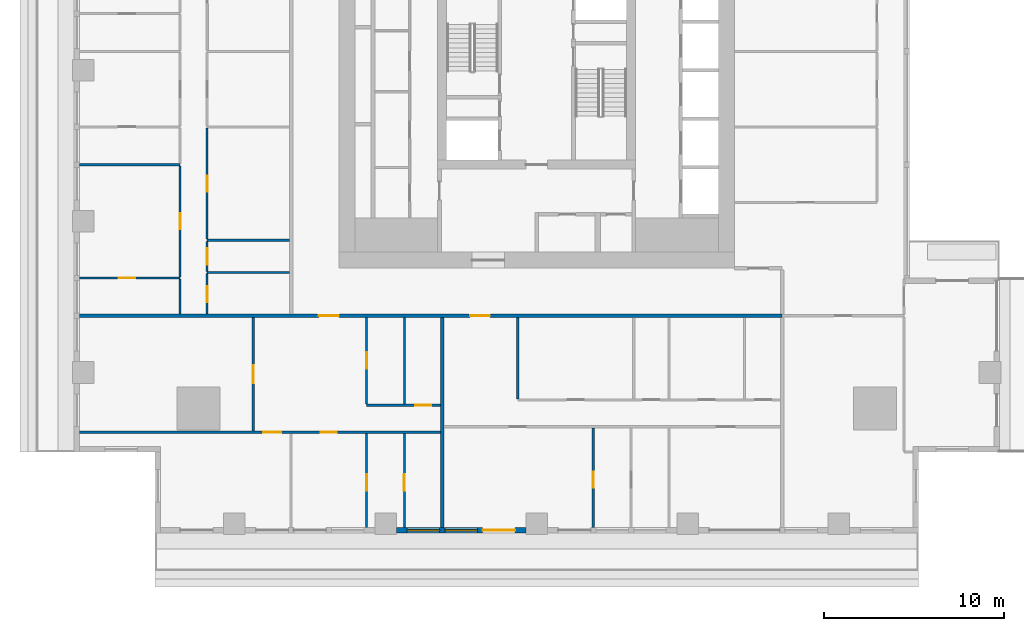
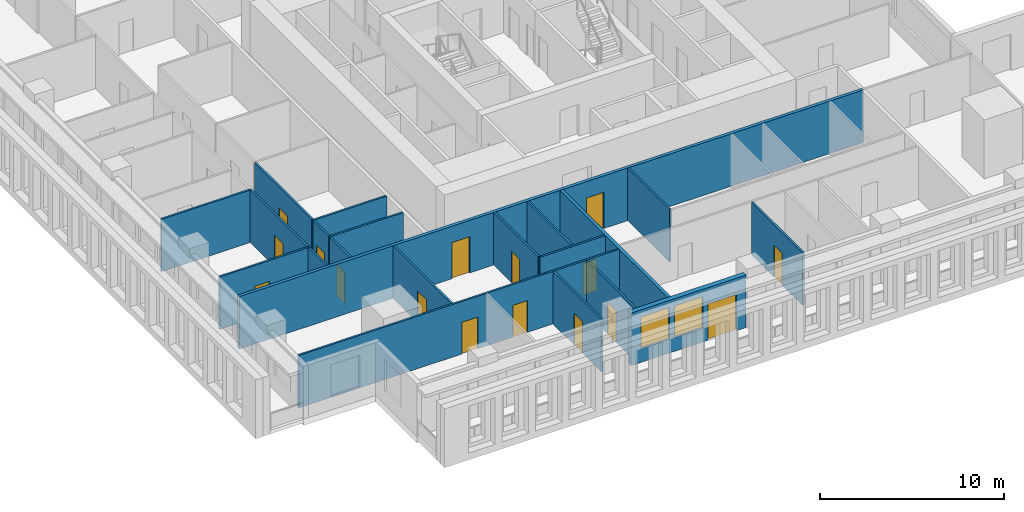
# One storey, part 2 of 15: 21 walls, 16 doors, 2 windows, 18 openings.
"""IFC4 building model written with IfcOpenShell, lengths in metres."""

from ifc_helpers import new_model, si_unit, direction, frame, frame_2d, origin, place, context, subcontext, project, spatial, rectangle, extrude, material, layer, layer_set, type_object, element, fill, save


model = new_model("IFC4")

# Units and contexts
model_context = context("Model", 3, precision=1e-05, world=origin(), true_north=direction((0.0, 1.0)))
body_context = subcontext(model_context, "Body", "Model", "MODEL_VIEW")
ifc_project = project(units=[si_unit("LENGTHUNIT", "METRE"), si_unit("AREAUNIT", "SQUARE_METRE"), si_unit("VOLUMEUNIT", "CUBIC_METRE"), si_unit("PLANEANGLEUNIT", "RADIAN"), si_unit("MASSUNIT", "GRAM", prefix="KILO")], contexts=[model_context])

# Site, building, storey
site_placement = place(None, origin())
site = spatial("IfcSite", under=ifc_project, at=site_placement, CompositionType="ELEMENT")
building_placement = place(site_placement, origin())
building = spatial("IfcBuilding", under=site, at=building_placement, Name="Khepri Terraces", CompositionType="ELEMENT")
storey_placement = place(building_placement, frame((0.0, 0.0, 219.60009765625)))
storey = spatial("IfcBuildingStorey", under=building, at=storey_placement, Name="L52", CompositionType="ELEMENT", Elevation=219.60009765625)

# Wall
ifc_material_1 = material(Name="Fire-rated gypsum plasterboard partition, mineral wool")
ifc_layer_1 = layer(ifc_material_1, 0.199951171875, Name="Fire-rated gypsum plasterboard partition, mineral wool")
ifc_layer_set_1 = layer_set([ifc_layer_1], Name="Fire-rated gypsum plasterboard partition, mineral wool")
wall_type_1 = type_object("IfcWallType", Name="WL-CORR-200", PredefinedType="PARTITIONING", material=ifc_layer_set_1)
wall_1_placement = place(storey_placement, frame((-5.25, -25.419921875, 0.0), z_axis=(0.0, 0.0, 1.0), x_axis=(0.0, 1.0, 0.0)))
element("IfcWall", 1, at=wall_1_placement, inside=storey, type_object=wall_type_1, Name="Partition P-004 L52", PredefinedType="PARTITIONING", context=body_context, shape_type="SweptSolid", body=[
    extrude(rectangle(XDim=11.669921875, YDim=0.199951171875, at=frame_2d((5.8349609375, 0.0))), origin(), (0.0, 0.0, 1.0), 3.47998046875),
])

# Wall, openings, doors
wall_2_placement = place(storey_placement, frame((-25.419921875, -13.64990234375, 0.0), z_axis=(0.0, 0.0, 1.0), x_axis=(1.0, 0.0, 0.0)))
wall_2 = element("IfcWall", 2, at=wall_2_placement, inside=storey, type_object=wall_type_1, Name="Partition P-022 L52", PredefinedType="PARTITIONING", context=body_context, shape_type="SweptSolid", body=[
    extrude(rectangle(XDim=39.06982421875, YDim=0.199951171875, at=frame_2d((19.534912109375, 0.0))), origin(), (0.0, 0.0, 1.0), 3.47998046875),
])
opening_1_placement = place(wall_2_placement, frame((13.320068359375, 0.0, 0.0)))
opening_1 = element("IfcOpeningElement", 3, at=opening_1_placement, cuts=wall_2, Name="Opening D1", PredefinedType="OPENING", context=body_context, shape_type="SweptSolid", body=[
    extrude(rectangle(XDim=1.10009765625, YDim=2.39990234375, at=frame_2d((0.550048828125, 1.199951171875))), frame((0.0, 0.10986328125, 0.0), z_axis=(0.0, -1.0, 0.0), x_axis=(1.0, 0.0, 0.0)), (0.0, 0.0, 1.0), 0.219970703125),
])
opening_2_placement = place(wall_2_placement, frame((21.719970703125, 0.0, 0.0)))
opening_2 = element("IfcOpeningElement", 4, at=opening_2_placement, cuts=wall_2, Name="Opening D1", PredefinedType="OPENING", context=body_context, shape_type="SweptSolid", body=[
    extrude(rectangle(XDim=1.10009765625, YDim=2.39990234375, at=frame_2d((0.550048828125, 1.199951171875))), frame((0.0, 0.10986328125, 0.0), z_axis=(0.0, -1.0, 0.0), x_axis=(1.0, 0.0, 0.0)), (0.0, 0.0, 1.0), 0.219970703125),
])
ifc_material_2 = material(Name="Solid-core timber door leaf, flat entrance door", Category="wood")
door_type_1 = type_object("IfcDoorType", Name="DR-ENT-1100", OperationType="NOTDEFINED", PredefinedType="DOOR", material=ifc_material_2)
door_1_placement = place(opening_1_placement, frame((1.10009765625, 0.0, 0.0), z_axis=(0.0, 0.0, 1.0), x_axis=(-1.0, 0.0, 0.0)))
door_1 = element("IfcDoor", 5, at=door_1_placement, inside=storey, type_object=door_type_1, Name="Flat A1 entrance door", OperationType="SINGLE_SWING_RIGHT", OverallHeight=2.39990234375, OverallWidth=1.10009765625, PredefinedType="DOOR", context=body_context, shape_type="SweptSolid", body=[
    extrude(rectangle(XDim=1.10009765625, YDim=2.39990234375, at=frame_2d((0.550048828125, 1.199951171875))), frame((0.0, 0.02490234375, 0.0), z_axis=(0.0, -1.0, 0.0), x_axis=(1.0, 0.0, 0.0)), (0.0, 0.0, 1.0), 0.050048828125),
])
fill(opening_1, door_1)
door_2_placement = place(opening_2_placement, frame((1.10009765625, 0.0, 0.0), z_axis=(0.0, 0.0, 1.0), x_axis=(-1.0, 0.0, 0.0)))
door_2 = element("IfcDoor", 6, at=door_2_placement, inside=storey, type_object=door_type_1, Name="Flat A2 entrance door", OperationType="SINGLE_SWING_LEFT", OverallHeight=2.39990234375, OverallWidth=1.10009765625, PredefinedType="DOOR", context=body_context, shape_type="SweptSolid", body=[
    extrude(rectangle(XDim=1.10009765625, YDim=2.39990234375, at=frame_2d((0.550048828125, 1.199951171875))), frame((0.0, 0.02490234375, 0.0), z_axis=(0.0, -1.0, 0.0), x_axis=(1.0, 0.0, 0.0)), (0.0, 0.0, 1.0), 0.050048828125),
])
fill(opening_2, door_2)

# Wall, openings, door, windows
ifc_material_3 = material(Name="Precast concrete C50/60 warm stone", Category="masonry")
ifc_layer_2 = layer(ifc_material_3, 0.300048828125, Name="Precast concrete C50/60 warm stone", Category="masonry")
ifc_layer_set_2 = layer_set([ifc_layer_2], Name="Precast concrete C50/60 warm stone")
wall_type_2 = type_object("IfcWallType", Name="WL-EXT-PRECAST-300", PredefinedType="STANDARD", material=ifc_layer_set_2)
wall_3_placement = place(storey_placement, frame((-7.800048828125, -25.570068359375, 0.0), z_axis=(0.0, 0.0, 1.0), x_axis=(1.0, 0.0, 0.0)))
wall_3 = element("IfcWall", 7, at=wall_3_placement, inside=storey, type_object=wall_type_2, Name="External wall L52 S", PredefinedType="STANDARD", context=body_context, shape_type="SweptSolid", body=[
    extrude(rectangle(XDim=7.199951171875, YDim=0.300048828125, at=frame_2d((3.60009765625, 0.0))), origin(), (0.0, 0.0, 1.0), 3.47998046875),
])
opening_3_placement = place(wall_3_placement, frame((0.60009765625, 0.0, 0.89990234375)))
opening_3 = element("IfcOpeningElement", 8, at=opening_3_placement, cuts=wall_3, Name="Opening W1", PredefinedType="OPENING", context=body_context, shape_type="SweptSolid", body=[
    extrude(rectangle(XDim=1.800048828125, YDim=2.10009765625, at=frame_2d((0.89990234375, 1.050048828125))), frame((0.0, 0.16015625, 0.0), z_axis=(0.0, -1.0, 0.0), x_axis=(1.0, 0.0, 0.0)), (0.0, 0.0, 1.0), 0.320068359375),
])
opening_4_placement = place(wall_3_placement, frame((2.699951171875, 0.0, 0.89990234375)))
opening_4 = element("IfcOpeningElement", 9, at=opening_4_placement, cuts=wall_3, Name="Opening W1", PredefinedType="OPENING", context=body_context, shape_type="SweptSolid", body=[
    extrude(rectangle(XDim=1.800048828125, YDim=2.10009765625, at=frame_2d((0.89990234375, 1.050048828125))), frame((0.0, 0.16015625, 0.0), z_axis=(0.0, -1.0, 0.0), x_axis=(1.0, 0.0, 0.0)), (0.0, 0.0, 1.0), 0.320068359375),
])
opening_5_placement = place(wall_3_placement, frame((4.800048828125, 0.0, 0.0)))
opening_5 = element("IfcOpeningElement", 10, at=opening_5_placement, cuts=wall_3, Name="Opening ED-L52-19", PredefinedType="OPENING", context=body_context, shape_type="SweptSolid", body=[
    extrude(rectangle(XDim=1.800048828125, YDim=2.39990234375, at=frame_2d((0.89990234375, 1.199951171875))), frame((0.0, 0.16015625, 0.0), z_axis=(0.0, -1.0, 0.0), x_axis=(1.0, 0.0, 0.0)), (0.0, 0.0, 1.0), 0.320068359375),
])
ifc_material_4 = material(Name="Anodised aluminium bronze glazed door", Category="aluminium")
door_type_2 = type_object("IfcDoorType", Name="DR-BAL-SLIDE-1800x2400", OperationType="NOTDEFINED", PredefinedType="DOOR", material=ifc_material_4)
door_3_placement = place(opening_5_placement, origin())
door_3 = element("IfcDoor", 11, at=door_3_placement, inside=storey, type_object=door_type_2, Name="Balcony door L52 S", OperationType="SLIDING_TO_RIGHT", OverallHeight=2.39990234375, OverallWidth=1.800048828125, PredefinedType="DOOR", context=body_context, shape_type="SweptSolid", body=[
    extrude(rectangle(XDim=1.800048828125, YDim=2.39990234375, at=frame_2d((0.89990234375, 1.199951171875))), frame((0.0, 0.02490234375, 0.0), z_axis=(0.0, -1.0, 0.0), x_axis=(1.0, 0.0, 0.0)), (0.0, 0.0, 1.0), 0.050048828125),
])
fill(opening_5, door_3)
ifc_material_5 = material(Name="Clear glass", Category="glass")
window_type = type_object("IfcWindowType", Name="WIN-RES-1800x2100", PartitioningType="SINGLE_PANEL", PredefinedType="WINDOW", material=ifc_material_5)
window_1_placement = place(opening_3_placement, origin())
window_1 = element("IfcWindow", 12, at=window_1_placement, inside=storey, type_object=window_type, Name="Window L52 S", OverallHeight=2.10009765625, OverallWidth=1.800048828125, PartitioningType="SINGLE_PANEL", PredefinedType="WINDOW", context=body_context, shape_type="SweptSolid", body=[
    extrude(rectangle(XDim=1.800048828125, YDim=2.10009765625, at=frame_2d((0.89990234375, 1.050048828125))), frame((0.0, 0.030029296875, 0.0), z_axis=(0.0, -1.0, 0.0), x_axis=(1.0, 0.0, 0.0)), (0.0, 0.0, 1.0), 0.06005859375),
])
fill(opening_3, window_1)
window_2_placement = place(opening_4_placement, origin())
window_2 = element("IfcWindow", 13, at=window_2_placement, inside=storey, type_object=window_type, Name="Window L52 S", OverallHeight=2.10009765625, OverallWidth=1.800048828125, PartitioningType="SINGLE_PANEL", PredefinedType="WINDOW", context=body_context, shape_type="SweptSolid", body=[
    extrude(rectangle(XDim=1.800048828125, YDim=2.10009765625, at=frame_2d((0.89990234375, 1.050048828125))), frame((0.0, 0.030029296875, 0.0), z_axis=(0.0, -1.0, 0.0), x_axis=(1.0, 0.0, 0.0)), (0.0, 0.0, 1.0), 0.06005859375),
])
fill(opening_4, window_2)

# Wall, opening, door
ifc_material_6 = material(Name="Gypsum plasterboard partition")
ifc_layer_3 = layer(ifc_material_6, 0.1201171875, Name="Gypsum plasterboard partition")
ifc_layer_set_3 = layer_set([ifc_layer_3], Name="Gypsum plasterboard partition")
wall_type_3 = type_object("IfcWallType", Name="WL-PART-120", PredefinedType="PARTITIONING", material=ifc_layer_set_3)
wall_4_placement = place(storey_placement, frame((-9.449951171875, -25.419921875, 0.0), z_axis=(0.0, 0.0, 1.0), x_axis=(0.0, 1.0, 0.0)))
wall_4 = element("IfcWall", 14, at=wall_4_placement, inside=storey, type_object=wall_type_3, Name="Partition P-002 L52", PredefinedType="PARTITIONING", context=body_context, shape_type="SweptSolid", body=[
    extrude(rectangle(XDim=5.239990234375, YDim=0.1201171875, at=frame_2d((2.6201171875, 0.0))), origin(), (0.0, 0.0, 1.0), 3.47998046875),
])
opening_6_placement = place(wall_4_placement, frame((2.050048828125, 0.0, 0.0)))
opening_6 = element("IfcOpeningElement", 15, at=opening_6_placement, cuts=wall_4, Name="Opening D3", PredefinedType="OPENING", context=body_context, shape_type="SweptSolid", body=[
    extrude(rectangle(XDim=0.89990234375, YDim=2.10009765625, at=frame_2d((0.449951171875, 1.050048828125))), frame((0.0, 0.070068359375, 0.0), z_axis=(0.0, -1.0, 0.0), x_axis=(1.0, 0.0, 0.0)), (0.0, 0.0, 1.0), 0.14013671875),
])
ifc_material_7 = material(Name="Timber door leaf", Category="wood")
door_type_3 = type_object("IfcDoorType", Name="DR-INT-900", OperationType="NOTDEFINED", PredefinedType="DOOR", material=ifc_material_7)
door_4_placement = place(opening_6_placement, frame((0.89990234375, 0.0, 0.0), z_axis=(0.0, 0.0, 1.0), x_axis=(-1.0, 0.0, 0.0)))
door_4 = element("IfcDoor", 16, at=door_4_placement, inside=storey, type_object=door_type_3, Name="Door Dressing Room", OperationType="SINGLE_SWING_RIGHT", OverallHeight=2.10009765625, OverallWidth=0.89990234375, PredefinedType="DOOR", context=body_context, shape_type="SweptSolid", body=[
    extrude(rectangle(XDim=0.89990234375, YDim=2.10009765625, at=frame_2d((0.449951171875, 1.050048828125))), frame((0.0, 0.02490234375, 0.0), z_axis=(0.0, -1.0, 0.0), x_axis=(1.0, 0.0, 0.0)), (0.0, 0.0, 1.0), 0.050048828125),
])
fill(opening_6, door_4)

wall_5_placement = place(storey_placement, frame((-7.35009765625, -25.419921875, 0.0), z_axis=(0.0, 0.0, 1.0), x_axis=(0.0, 1.0, 0.0)))
wall_5 = element("IfcWall", 17, at=wall_5_placement, inside=storey, type_object=wall_type_3, Name="Partition P-003 L52", PredefinedType="PARTITIONING", context=body_context, shape_type="SweptSolid", body=[
    extrude(rectangle(XDim=5.239990234375, YDim=0.1201171875, at=frame_2d((2.6201171875, 0.0))), origin(), (0.0, 0.0, 1.0), 3.47998046875),
])
opening_7_placement = place(wall_5_placement, frame((2.050048828125, 0.0, 0.0)))
opening_7 = element("IfcOpeningElement", 18, at=opening_7_placement, cuts=wall_5, Name="Opening D4", PredefinedType="OPENING", context=body_context, shape_type="SweptSolid", body=[
    extrude(rectangle(XDim=0.89990234375, YDim=2.10009765625, at=frame_2d((0.449951171875, 1.050048828125))), frame((0.0, 0.070068359375, 0.0), z_axis=(0.0, -1.0, 0.0), x_axis=(1.0, 0.0, 0.0)), (0.0, 0.0, 1.0), 0.14013671875),
])
ifc_material_8 = material(Name="Timber door leaf, moisture resistant", Category="wood")
door_type_4 = type_object("IfcDoorType", Name="DR-WET-900", OperationType="NOTDEFINED", PredefinedType="DOOR", material=ifc_material_8)
door_5_placement = place(opening_7_placement, frame((0.89990234375, 0.0, 0.0), z_axis=(0.0, 0.0, 1.0), x_axis=(-1.0, 0.0, 0.0)))
door_5 = element("IfcDoor", 19, at=door_5_placement, inside=storey, type_object=door_type_4, Name="Door Bathroom", OperationType="SINGLE_SWING_RIGHT", OverallHeight=2.10009765625, OverallWidth=0.89990234375, PredefinedType="DOOR", context=body_context, shape_type="SweptSolid", body=[
    extrude(rectangle(XDim=0.89990234375, YDim=2.10009765625, at=frame_2d((0.449951171875, 1.050048828125))), frame((0.0, 0.02490234375, 0.0), z_axis=(0.0, -1.0, 0.0), x_axis=(1.0, 0.0, 0.0)), (0.0, 0.0, 1.0), 0.050048828125),
])
fill(opening_7, door_5)

wall_6_placement = place(storey_placement, frame((3.14990234375, -25.419921875, 0.0), z_axis=(0.0, 0.0, 1.0), x_axis=(0.0, 1.0, 0.0)))
wall_6 = element("IfcWall", 20, at=wall_6_placement, inside=storey, type_object=wall_type_3, Name="Partition P-005 L52", PredefinedType="PARTITIONING", context=body_context, shape_type="SweptSolid", body=[
    extrude(rectangle(XDim=5.5400390625, YDim=0.1201171875, at=frame_2d((2.77001953125, 0.0))), origin(), (0.0, 0.0, 1.0), 3.47998046875),
])
opening_8_placement = place(wall_6_placement, frame((2.199951171875, 0.0, 0.0)))
opening_8 = element("IfcOpeningElement", 21, at=opening_8_placement, cuts=wall_6, Name="Opening D3", PredefinedType="OPENING", context=body_context, shape_type="SweptSolid", body=[
    extrude(rectangle(XDim=0.89990234375, YDim=2.10009765625, at=frame_2d((0.449951171875, 1.050048828125))), frame((0.0, 0.070068359375, 0.0), z_axis=(0.0, -1.0, 0.0), x_axis=(1.0, 0.0, 0.0)), (0.0, 0.0, 1.0), 0.14013671875),
])
door_6_placement = place(opening_8_placement, frame((0.89990234375, 0.0, 0.0), z_axis=(0.0, 0.0, 1.0), x_axis=(-1.0, 0.0, 0.0)))
door_6 = element("IfcDoor", 22, at=door_6_placement, inside=storey, type_object=door_type_3, Name="Door Dressing Room", OperationType="SINGLE_SWING_RIGHT", OverallHeight=2.10009765625, OverallWidth=0.89990234375, PredefinedType="DOOR", context=body_context, shape_type="SweptSolid", body=[
    extrude(rectangle(XDim=0.89990234375, YDim=2.10009765625, at=frame_2d((0.449951171875, 1.050048828125))), frame((0.0, 0.02490234375, 0.0), z_axis=(0.0, -1.0, 0.0), x_axis=(1.0, 0.0, 0.0)), (0.0, 0.0, 1.0), 0.050048828125),
])
fill(opening_8, door_6)

# Wall, openings, doors
wall_7_placement = place(storey_placement, frame((-25.419921875, -20.1201171875, 0.0), z_axis=(0.0, 0.0, 1.0), x_axis=(1.0, 0.0, 0.0)))
wall_7 = element("IfcWall", 23, at=wall_7_placement, inside=storey, type_object=wall_type_3, Name="Partition P-011 L52", PredefinedType="PARTITIONING", context=body_context, shape_type="SweptSolid", body=[
    extrude(rectangle(XDim=20.06982421875, YDim=0.1201171875, at=frame_2d((10.034912109375, 0.0))), origin(), (0.0, 0.0, 1.0), 3.47998046875),
])
opening_9_placement = place(wall_7_placement, frame((10.219970703125, 0.0, 0.0)))
opening_9 = element("IfcOpeningElement", 24, at=opening_9_placement, cuts=wall_7, Name="Opening D2", PredefinedType="OPENING", context=body_context, shape_type="SweptSolid", body=[
    extrude(rectangle(XDim=1.0, YDim=2.10009765625, at=frame_2d((0.5, 1.050048828125))), frame((0.0, 0.070068359375, 0.0), z_axis=(0.0, -1.0, 0.0), x_axis=(1.0, 0.0, 0.0)), (0.0, 0.0, 1.0), 0.14013671875),
])
opening_10_placement = place(wall_7_placement, frame((13.419921875, 0.0, 0.0)))
opening_10 = element("IfcOpeningElement", 25, at=opening_10_placement, cuts=wall_7, Name="Opening D3", PredefinedType="OPENING", context=body_context, shape_type="SweptSolid", body=[
    extrude(rectangle(XDim=0.89990234375, YDim=2.10009765625, at=frame_2d((0.449951171875, 1.050048828125))), frame((0.0, 0.070068359375, 0.0), z_axis=(0.0, -1.0, 0.0), x_axis=(1.0, 0.0, 0.0)), (0.0, 0.0, 1.0), 0.14013671875),
])
ifc_material_9 = material(Name="Timber door leaf, living room door", Category="wood")
door_type_5 = type_object("IfcDoorType", Name="DR-INT-1000", OperationType="NOTDEFINED", PredefinedType="DOOR", material=ifc_material_9)
door_7_placement = place(opening_9_placement, frame((1.0, 0.0, 0.0), z_axis=(0.0, 0.0, 1.0), x_axis=(-1.0, 0.0, 0.0)))
door_7 = element("IfcDoor", 26, at=door_7_placement, inside=storey, type_object=door_type_5, Name="Door Living Room", OperationType="SINGLE_SWING_LEFT", OverallHeight=2.10009765625, OverallWidth=1.0, PredefinedType="DOOR", context=body_context, shape_type="SweptSolid", body=[
    extrude(rectangle(XDim=1.0, YDim=2.10009765625, at=frame_2d((0.5, 1.050048828125))), frame((0.0, 0.02490234375, 0.0), z_axis=(0.0, -1.0, 0.0), x_axis=(1.0, 0.0, 0.0)), (0.0, 0.0, 1.0), 0.050048828125),
])
fill(opening_9, door_7)
door_8_placement = place(opening_10_placement, frame((0.89990234375, 0.0, 0.0), z_axis=(0.0, 0.0, 1.0), x_axis=(-1.0, 0.0, 0.0)))
door_8 = element("IfcDoor", 27, at=door_8_placement, inside=storey, type_object=door_type_3, Name="Door Master Bedroom", OperationType="SINGLE_SWING_LEFT", OverallHeight=2.10009765625, OverallWidth=0.89990234375, PredefinedType="DOOR", context=body_context, shape_type="SweptSolid", body=[
    extrude(rectangle(XDim=0.89990234375, YDim=2.10009765625, at=frame_2d((0.449951171875, 1.050048828125))), frame((0.0, 0.02490234375, 0.0), z_axis=(0.0, -1.0, 0.0), x_axis=(1.0, 0.0, 0.0)), (0.0, 0.0, 1.0), 0.050048828125),
])
fill(opening_10, door_8)

# Wall, opening, door
wall_8_placement = place(storey_placement, frame((-15.75, -20.06005859375, 0.0), z_axis=(0.0, 0.0, 1.0), x_axis=(0.0, 1.0, 0.0)))
wall_8 = element("IfcWall", 28, at=wall_8_placement, inside=storey, type_object=wall_type_3, Name="Partition P-012 L52", PredefinedType="PARTITIONING", context=body_context, shape_type="SweptSolid", body=[
    extrude(rectangle(XDim=6.31005859375, YDim=0.1201171875, at=frame_2d((3.155029296875, 0.0))), origin(), (0.0, 0.0, 1.0), 3.47998046875),
])
opening_11_placement = place(wall_8_placement, frame((2.675048828125, 0.0, 0.0)))
opening_11 = element("IfcOpeningElement", 29, at=opening_11_placement, cuts=wall_8, Name="Opening D2", PredefinedType="OPENING", context=body_context, shape_type="SweptSolid", body=[
    extrude(rectangle(XDim=1.0, YDim=2.10009765625, at=frame_2d((0.5, 1.050048828125))), frame((0.0, 0.070068359375, 0.0), z_axis=(0.0, -1.0, 0.0), x_axis=(1.0, 0.0, 0.0)), (0.0, 0.0, 1.0), 0.14013671875),
])
door_9_placement = place(opening_11_placement, origin())
door_9 = element("IfcDoor", 30, at=door_9_placement, inside=storey, type_object=door_type_5, Name="Door Family Room", OperationType="SINGLE_SWING_RIGHT", OverallHeight=2.10009765625, OverallWidth=1.0, PredefinedType="DOOR", context=body_context, shape_type="SweptSolid", body=[
    extrude(rectangle(XDim=1.0, YDim=2.10009765625, at=frame_2d((0.5, 1.050048828125))), frame((0.0, 0.02490234375, 0.0), z_axis=(0.0, -1.0, 0.0), x_axis=(1.0, 0.0, 0.0)), (0.0, 0.0, 1.0), 0.050048828125),
])
fill(opening_11, door_9)

wall_9_placement = place(storey_placement, frame((-9.449951171875, -18.6201171875, 0.0), z_axis=(0.0, 0.0, 1.0), x_axis=(1.0, 0.0, 0.0)))
wall_9 = element("IfcWall", 31, at=wall_9_placement, inside=storey, type_object=wall_type_3, Name="Partition P-014 L52", PredefinedType="PARTITIONING", context=body_context, shape_type="SweptSolid", body=[
    extrude(rectangle(XDim=4.099853515625, YDim=0.1201171875, at=frame_2d((2.0498046875, 0.0))), origin(), (0.0, 0.0, 1.0), 3.47998046875),
])
opening_12_placement = place(wall_9_placement, frame((2.699951171875, 0.0, 0.0)))
opening_12 = element("IfcOpeningElement", 32, at=opening_12_placement, cuts=wall_9, Name="Opening D3", PredefinedType="OPENING", context=body_context, shape_type="SweptSolid", body=[
    extrude(rectangle(XDim=0.89990234375, YDim=2.10009765625, at=frame_2d((0.449951171875, 1.050048828125))), frame((0.0, 0.070068359375, 0.0), z_axis=(0.0, -1.0, 0.0), x_axis=(1.0, 0.0, 0.0)), (0.0, 0.0, 1.0), 0.14013671875),
])
door_10_placement = place(opening_12_placement, origin())
door_10 = element("IfcDoor", 33, at=door_10_placement, inside=storey, type_object=door_type_3, Name="Door Kitchen", OperationType="SINGLE_SWING_RIGHT", OverallHeight=2.10009765625, OverallWidth=0.89990234375, PredefinedType="DOOR", context=body_context, shape_type="SweptSolid", body=[
    extrude(rectangle(XDim=0.89990234375, YDim=2.10009765625, at=frame_2d((0.449951171875, 1.050048828125))), frame((0.0, 0.02490234375, 0.0), z_axis=(0.0, -1.0, 0.0), x_axis=(1.0, 0.0, 0.0)), (0.0, 0.0, 1.0), 0.050048828125),
])
fill(opening_12, door_10)

wall_10_placement = place(storey_placement, frame((-9.449951171875, -18.56005859375, 0.0), z_axis=(0.0, 0.0, 1.0), x_axis=(0.0, 1.0, 0.0)))
wall_10 = element("IfcWall", 34, at=wall_10_placement, inside=storey, type_object=wall_type_3, Name="Partition P-015 L52", PredefinedType="PARTITIONING", context=body_context, shape_type="SweptSolid", body=[
    extrude(rectangle(XDim=4.81005859375, YDim=0.1201171875, at=frame_2d((2.405029296875, 0.0))), origin(), (0.0, 0.0, 1.0), 3.47998046875),
])
opening_13_placement = place(wall_10_placement, frame((1.97509765625, 0.0, 0.0)))
opening_13 = element("IfcOpeningElement", 35, at=opening_13_placement, cuts=wall_10, Name="Opening D4", PredefinedType="OPENING", context=body_context, shape_type="SweptSolid", body=[
    extrude(rectangle(XDim=0.89990234375, YDim=2.10009765625, at=frame_2d((0.449951171875, 1.050048828125))), frame((0.0, 0.070068359375, 0.0), z_axis=(0.0, -1.0, 0.0), x_axis=(1.0, 0.0, 0.0)), (0.0, 0.0, 1.0), 0.14013671875),
])
door_11_placement = place(opening_13_placement, frame((0.89990234375, 0.0, 0.0), z_axis=(0.0, 0.0, 1.0), x_axis=(-1.0, 0.0, 0.0)))
door_11 = element("IfcDoor", 36, at=door_11_placement, inside=storey, type_object=door_type_4, Name="Door Guest Bathroom", OperationType="SINGLE_SWING_LEFT", OverallHeight=2.10009765625, OverallWidth=0.89990234375, PredefinedType="DOOR", context=body_context, shape_type="SweptSolid", body=[
    extrude(rectangle(XDim=0.89990234375, YDim=2.10009765625, at=frame_2d((0.449951171875, 1.050048828125))), frame((0.0, 0.02490234375, 0.0), z_axis=(0.0, -1.0, 0.0), x_axis=(1.0, 0.0, 0.0)), (0.0, 0.0, 1.0), 0.050048828125),
])
fill(opening_13, door_11)

# Walls
wall_11_placement = place(storey_placement, frame((-7.35009765625, -18.56005859375, 0.0), z_axis=(0.0, 0.0, 1.0), x_axis=(0.0, 1.0, 0.0)))
element("IfcWall", 37, at=wall_11_placement, inside=storey, type_object=wall_type_3, Name="Partition P-016 L52", PredefinedType="PARTITIONING", context=body_context, shape_type="SweptSolid", body=[
    extrude(rectangle(XDim=4.81005859375, YDim=0.1201171875, at=frame_2d((2.405029296875, 0.0))), origin(), (0.0, 0.0, 1.0), 3.47998046875),
])
wall_12_placement = place(storey_placement, frame((-1.050048828125, -18.260009765625, 0.0), z_axis=(0.0, 0.0, 1.0), x_axis=(0.0, 1.0, 0.0)))
element("IfcWall", 38, at=wall_12_placement, inside=storey, type_object=wall_type_3, Name="Partition P-018 L52", PredefinedType="PARTITIONING", context=body_context, shape_type="SweptSolid", body=[
    extrude(rectangle(XDim=4.510009765625, YDim=0.1201171875, at=frame_2d((2.2548828125, 0.0))), origin(), (0.0, 0.0, 1.0), 3.47998046875),
])
wall_13_placement = place(storey_placement, frame((-19.820068359375, -13.550048828125, 0.0), z_axis=(0.0, 0.0, 1.0), x_axis=(0.0, 1.0, 0.0)))
element("IfcWall", 39, at=wall_13_placement, inside=storey, type_object=wall_type_3, Name="Partition P-025 L52", PredefinedType="PARTITIONING", context=body_context, shape_type="SweptSolid", body=[
    extrude(rectangle(XDim=1.93994140625, YDim=0.1201171875, at=frame_2d((0.969970703125, 0.0))), origin(), (0.0, 0.0, 1.0), 3.47998046875),
])

# Wall, opening, door
wall_14_placement = place(storey_placement, frame((-18.320068359375, -13.550048828125, 0.0), z_axis=(0.0, 0.0, 1.0), x_axis=(0.0, 1.0, 0.0)))
wall_14 = element("IfcWall", 40, at=wall_14_placement, inside=storey, type_object=wall_type_3, Name="Partition P-026 L52", PredefinedType="PARTITIONING", context=body_context, shape_type="SweptSolid", body=[
    extrude(rectangle(XDim=2.239990234375, YDim=0.1201171875, at=frame_2d((1.1201171875, 0.0))), origin(), (0.0, 0.0, 1.0), 3.47998046875),
])
opening_14_placement = place(wall_14_placement, frame((0.64990234375, 0.0, 0.0)))
opening_14 = element("IfcOpeningElement", 41, at=opening_14_placement, cuts=wall_14, Name="Opening D4", PredefinedType="OPENING", context=body_context, shape_type="SweptSolid", body=[
    extrude(rectangle(XDim=0.89990234375, YDim=2.10009765625, at=frame_2d((0.449951171875, 1.050048828125))), frame((0.0, 0.070068359375, 0.0), z_axis=(0.0, -1.0, 0.0), x_axis=(1.0, 0.0, 0.0)), (0.0, 0.0, 1.0), 0.14013671875),
])
door_12_placement = place(opening_14_placement, frame((0.89990234375, 0.0, 0.0), z_axis=(0.0, 0.0, 1.0), x_axis=(-1.0, 0.0, 0.0)))
door_12 = element("IfcDoor", 42, at=door_12_placement, inside=storey, type_object=door_type_4, Name="Door Guest Bathroom", OperationType="SINGLE_SWING_RIGHT", OverallHeight=2.10009765625, OverallWidth=0.89990234375, PredefinedType="DOOR", context=body_context, shape_type="SweptSolid", body=[
    extrude(rectangle(XDim=0.89990234375, YDim=2.10009765625, at=frame_2d((0.449951171875, 1.050048828125))), frame((0.0, 0.02490234375, 0.0), z_axis=(0.0, -1.0, 0.0), x_axis=(1.0, 0.0, 0.0)), (0.0, 0.0, 1.0), 0.050048828125),
])
fill(opening_14, door_12)

wall_15_placement = place(storey_placement, frame((-25.419921875, -11.550048828125, 0.0), z_axis=(0.0, 0.0, 1.0), x_axis=(1.0, 0.0, 0.0)))
wall_15 = element("IfcWall", 43, at=wall_15_placement, inside=storey, type_object=wall_type_3, Name="Partition P-029 L52", PredefinedType="PARTITIONING", context=body_context, shape_type="SweptSolid", body=[
    extrude(rectangle(XDim=5.599853515625, YDim=0.1201171875, at=frame_2d((2.7998046875, 0.0))), origin(), (0.0, 0.0, 1.0), 3.47998046875),
])
opening_15_placement = place(wall_15_placement, frame((2.199951171875, 0.0, 0.0)))
opening_15 = element("IfcOpeningElement", 44, at=opening_15_placement, cuts=wall_15, Name="Opening D4", PredefinedType="OPENING", context=body_context, shape_type="SweptSolid", body=[
    extrude(rectangle(XDim=0.89990234375, YDim=2.10009765625, at=frame_2d((0.449951171875, 1.050048828125))), frame((0.0, 0.070068359375, 0.0), z_axis=(0.0, -1.0, 0.0), x_axis=(1.0, 0.0, 0.0)), (0.0, 0.0, 1.0), 0.14013671875),
])
door_13_placement = place(opening_15_placement, frame((0.89990234375, 0.0, 0.0), z_axis=(0.0, 0.0, 1.0), x_axis=(-1.0, 0.0, 0.0)))
door_13 = element("IfcDoor", 45, at=door_13_placement, inside=storey, type_object=door_type_4, Name="Door Bathroom", OperationType="SINGLE_SWING_RIGHT", OverallHeight=2.10009765625, OverallWidth=0.89990234375, PredefinedType="DOOR", context=body_context, shape_type="SweptSolid", body=[
    extrude(rectangle(XDim=0.89990234375, YDim=2.10009765625, at=frame_2d((0.449951171875, 1.050048828125))), frame((0.0, 0.02490234375, 0.0), z_axis=(0.0, -1.0, 0.0), x_axis=(1.0, 0.0, 0.0)), (0.0, 0.0, 1.0), 0.050048828125),
])
fill(opening_15, door_13)

wall_16_placement = place(storey_placement, frame((-19.820068359375, -11.489990234375, 0.0), z_axis=(0.0, 0.0, 1.0), x_axis=(0.0, 1.0, 0.0)))
wall_16 = element("IfcWall", 46, at=wall_16_placement, inside=storey, type_object=wall_type_3, Name="Partition P-031 L52", PredefinedType="PARTITIONING", context=body_context, shape_type="SweptSolid", body=[
    extrude(rectangle(XDim=6.179931640625, YDim=0.1201171875, at=frame_2d((3.08984375, 0.0))), origin(), (0.0, 0.0, 1.0), 3.47998046875),
])
opening_16_placement = place(wall_16_placement, frame((2.639892578125, 0.0, 0.0)))
opening_16 = element("IfcOpeningElement", 47, at=opening_16_placement, cuts=wall_16, Name="Opening D3", PredefinedType="OPENING", context=body_context, shape_type="SweptSolid", body=[
    extrude(rectangle(XDim=0.89990234375, YDim=2.10009765625, at=frame_2d((0.449951171875, 1.050048828125))), frame((0.0, 0.070068359375, 0.0), z_axis=(0.0, -1.0, 0.0), x_axis=(1.0, 0.0, 0.0)), (0.0, 0.0, 1.0), 0.14013671875),
])
door_14_placement = place(opening_16_placement, origin())
door_14 = element("IfcDoor", 48, at=door_14_placement, inside=storey, type_object=door_type_3, Name="Door Bedroom", OperationType="SINGLE_SWING_LEFT", OverallHeight=2.10009765625, OverallWidth=0.89990234375, PredefinedType="DOOR", context=body_context, shape_type="SweptSolid", body=[
    extrude(rectangle(XDim=0.89990234375, YDim=2.10009765625, at=frame_2d((0.449951171875, 1.050048828125))), frame((0.0, 0.02490234375, 0.0), z_axis=(0.0, -1.0, 0.0), x_axis=(1.0, 0.0, 0.0)), (0.0, 0.0, 1.0), 0.050048828125),
])
fill(opening_16, door_14)

# Wall
wall_17_placement = place(storey_placement, frame((-18.320068359375, -11.25, 0.0), z_axis=(0.0, 0.0, 1.0), x_axis=(1.0, 0.0, 0.0)))
element("IfcWall", 49, at=wall_17_placement, inside=storey, type_object=wall_type_3, Name="Partition P-032 L52", PredefinedType="PARTITIONING", context=body_context, shape_type="SweptSolid", body=[
    extrude(rectangle(XDim=4.570068359375, YDim=0.1201171875, at=frame_2d((2.28515625, 0.0))), origin(), (0.0, 0.0, 1.0), 3.47998046875),
])

# Wall, opening, door
wall_18_placement = place(storey_placement, frame((-18.320068359375, -11.18994140625, 0.0), z_axis=(0.0, 0.0, 1.0), x_axis=(0.0, 1.0, 0.0)))
wall_18 = element("IfcWall", 50, at=wall_18_placement, inside=storey, type_object=wall_type_3, Name="Partition P-033 L52", PredefinedType="PARTITIONING", context=body_context, shape_type="SweptSolid", body=[
    extrude(rectangle(XDim=1.679931640625, YDim=0.1201171875, at=frame_2d((0.83984375, 0.0))), origin(), (0.0, 0.0, 1.0), 3.47998046875),
])
opening_17_placement = place(wall_18_placement, frame((0.389892578125, 0.0, 0.0)))
opening_17 = element("IfcOpeningElement", 51, at=opening_17_placement, cuts=wall_18, Name="Opening D4", PredefinedType="OPENING", context=body_context, shape_type="SweptSolid", body=[
    extrude(rectangle(XDim=0.89990234375, YDim=2.10009765625, at=frame_2d((0.449951171875, 1.050048828125))), frame((0.0, 0.070068359375, 0.0), z_axis=(0.0, -1.0, 0.0), x_axis=(1.0, 0.0, 0.0)), (0.0, 0.0, 1.0), 0.14013671875),
])
door_15_placement = place(opening_17_placement, frame((0.89990234375, 0.0, 0.0), z_axis=(0.0, 0.0, 1.0), x_axis=(-1.0, 0.0, 0.0)))
door_15 = element("IfcDoor", 52, at=door_15_placement, inside=storey, type_object=door_type_4, Name="Door Powder Room", OperationType="SINGLE_SWING_LEFT", OverallHeight=2.10009765625, OverallWidth=0.89990234375, PredefinedType="DOOR", context=body_context, shape_type="SweptSolid", body=[
    extrude(rectangle(XDim=0.89990234375, YDim=2.10009765625, at=frame_2d((0.449951171875, 1.050048828125))), frame((0.0, 0.02490234375, 0.0), z_axis=(0.0, -1.0, 0.0), x_axis=(1.0, 0.0, 0.0)), (0.0, 0.0, 1.0), 0.050048828125),
])
fill(opening_17, door_15)

# Wall
wall_19_placement = place(storey_placement, frame((-18.320068359375, -9.449951171875, 0.0), z_axis=(0.0, 0.0, 1.0), x_axis=(1.0, 0.0, 0.0)))
element("IfcWall", 53, at=wall_19_placement, inside=storey, type_object=wall_type_3, Name="Partition P-035 L52", PredefinedType="PARTITIONING", context=body_context, shape_type="SweptSolid", body=[
    extrude(rectangle(XDim=4.570068359375, YDim=0.1201171875, at=frame_2d((2.28515625, 0.0))), origin(), (0.0, 0.0, 1.0), 3.47998046875),
])

# Wall, opening, door
wall_20_placement = place(storey_placement, frame((-18.320068359375, -9.389892578125, 0.0), z_axis=(0.0, 0.0, 1.0), x_axis=(0.0, 1.0, 0.0)))
wall_20 = element("IfcWall", 54, at=wall_20_placement, inside=storey, type_object=wall_type_3, Name="Partition P-036 L52", PredefinedType="PARTITIONING", context=body_context, shape_type="SweptSolid", body=[
    extrude(rectangle(XDim=6.179931640625, YDim=0.1201171875, at=frame_2d((3.08984375, 0.0))), origin(), (0.0, 0.0, 1.0), 3.47998046875),
])
opening_18_placement = place(wall_20_placement, frame((2.639892578125, 0.0, 0.0)))
opening_18 = element("IfcOpeningElement", 55, at=opening_18_placement, cuts=wall_20, Name="Opening D3", PredefinedType="OPENING", context=body_context, shape_type="SweptSolid", body=[
    extrude(rectangle(XDim=0.89990234375, YDim=2.10009765625, at=frame_2d((0.449951171875, 1.050048828125))), frame((0.0, 0.070068359375, 0.0), z_axis=(0.0, -1.0, 0.0), x_axis=(1.0, 0.0, 0.0)), (0.0, 0.0, 1.0), 0.14013671875),
])
door_16_placement = place(opening_18_placement, frame((0.89990234375, 0.0, 0.0), z_axis=(0.0, 0.0, 1.0), x_axis=(-1.0, 0.0, 0.0)))
door_16 = element("IfcDoor", 56, at=door_16_placement, inside=storey, type_object=door_type_3, Name="Door Staff Bedroom", OperationType="SINGLE_SWING_LEFT", OverallHeight=2.10009765625, OverallWidth=0.89990234375, PredefinedType="DOOR", context=body_context, shape_type="SweptSolid", body=[
    extrude(rectangle(XDim=0.89990234375, YDim=2.10009765625, at=frame_2d((0.449951171875, 1.050048828125))), frame((0.0, 0.02490234375, 0.0), z_axis=(0.0, -1.0, 0.0), x_axis=(1.0, 0.0, 0.0)), (0.0, 0.0, 1.0), 0.050048828125),
])
fill(opening_18, door_16)

# Wall
wall_21_placement = place(storey_placement, frame((-25.419921875, -5.25, 0.0), z_axis=(0.0, 0.0, 1.0), x_axis=(1.0, 0.0, 0.0)))
element("IfcWall", 57, at=wall_21_placement, inside=storey, type_object=wall_type_3, Name="Partition P-039 L52", PredefinedType="PARTITIONING", context=body_context, shape_type="SweptSolid", body=[
    extrude(rectangle(XDim=5.599853515625, YDim=0.1201171875, at=frame_2d((2.7998046875, 0.0))), origin(), (0.0, 0.0, 1.0), 3.47998046875),
])

save(model, "model.ifc")
